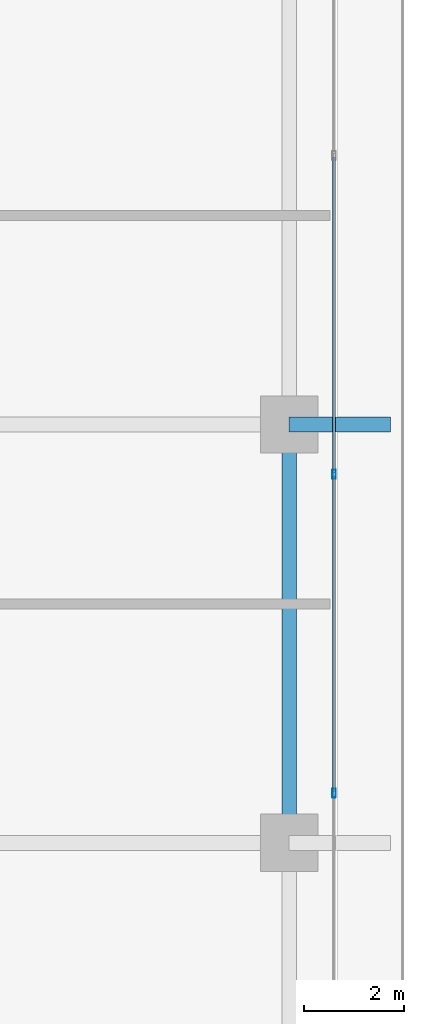
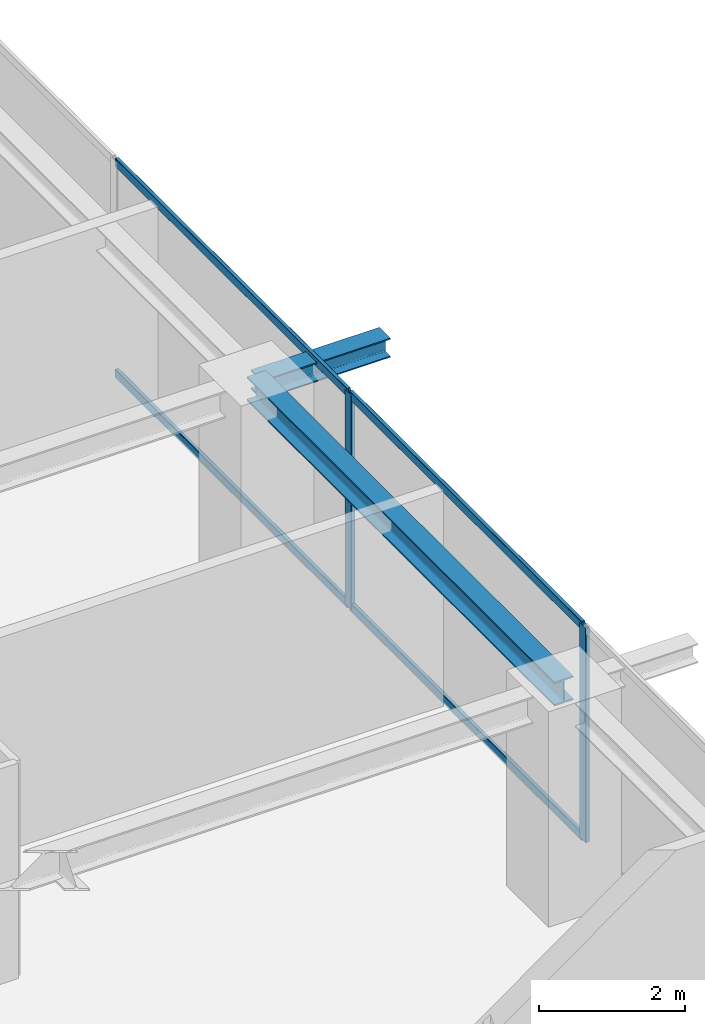
# One storey, part 16 of 38: 6 members, 2 beams, 1 element without a shape of its own.
"""IFC4 building model written with IfcOpenShell, lengths in metres."""

from ifc_helpers import new_model, si_unit, direction, frame, origin, origin_2d, place, context, subcontext, project, spatial, hollow_rectangle, i_section, extrude, source, transform, mapped, material, layer, layer_set, material_profile, profile_set, type_object, element, aggregate, save


model = new_model("IFC4")

# Units and contexts
model_context = context("Model", 3, precision=1e-05, world=origin(), true_north=direction((0.0, 1.0)))
body_context = subcontext(model_context, "Body", "Model", "MODEL_VIEW")
ifc_project = project(units=[si_unit("LENGTHUNIT", "METRE"), si_unit("AREAUNIT", "SQUARE_METRE"), si_unit("VOLUMEUNIT", "CUBIC_METRE"), si_unit("PLANEANGLEUNIT", "RADIAN"), si_unit("MASSUNIT", "GRAM", prefix="KILO")], contexts=[model_context])

# Site, building, storey
site_placement = place(None, origin())
site = spatial("IfcSite", under=ifc_project, at=site_placement, CompositionType="ELEMENT")
building_placement = place(site_placement, origin())
building = spatial("IfcBuilding", under=site, at=building_placement, Name="Serunith Strait Residences", CompositionType="ELEMENT")
storey_placement = place(building_placement, frame((0.0, 0.0, 268.199951171875)))
storey = spatial("IfcBuildingStorey", under=building, at=storey_placement, Name="L67", CompositionType="ELEMENT", Elevation=268.199951171875)

# Beams
ifc_material_1 = material(Name="Steel S355J2", Category="steel")
ifc_material_profile_1 = material_profile(ifc_material_1, i_section(OverallWidth=0.300048828125, OverallDepth=0.39990234375, WebThickness=0.013427734375, FlangeThickness=0.02392578125, FilletRadius=0.027099609375, at=origin_2d()), Name="HEB 400")
ifc_profile_set_1 = profile_set([ifc_material_profile_1], Name="Steel S355J2")
beam_type_1 = type_object("IfcBeamType", Name="BM-HEB400", PredefinedType="BEAM", material=ifc_profile_set_1)
shared_shape_1 = source(origin(), body_context, "Body", "SweptSolid", [
    extrude(i_section(OverallWidth=0.300048828125, OverallDepth=0.39990234375, WebThickness=0.013427734375, FlangeThickness=0.02392578125, FilletRadius=0.027099609375, at=origin_2d()), origin(), (0.0, 0.0, 1.0), 8.39990234375),
])
beam_1_placement = place(storey_placement, frame((56.5, 21.0, 3.386962890625), z_axis=(0.0, 1.0, 0.0), x_axis=(-1.0, 0.0, 0.0)))
element("IfcBeam", 1, at=beam_1_placement, inside=storey, type_object=beam_type_1, Name="L67 Perimeter Ring Beam 06", PredefinedType="BEAM", context=body_context, shape_type="MappedRepresentation", body=[
    mapped(shared_shape_1, transform((0.0, 0.0, 0.0), scale=1.0)),
])
ifc_material_profile_2 = material_profile(ifc_material_1, i_section(OverallWidth=0.300048828125, OverallDepth=0.320068359375, WebThickness=0.011474609375, FlangeThickness=0.0205078125, FilletRadius=0.027099609375, at=origin_2d()), Name="HEB 320")
ifc_profile_set_2 = profile_set([ifc_material_profile_2], Name="Steel S355J2")
beam_type_2 = type_object("IfcBeamType", Name="BM-HEB320", PredefinedType="BEAM", material=ifc_profile_set_2)
shared_shape_2 = source(origin(), body_context, "Body", "SweptSolid", [
    extrude(i_section(OverallWidth=0.300048828125, OverallDepth=0.320068359375, WebThickness=0.011474609375, FlangeThickness=0.0205078125, FilletRadius=0.027099609375, at=origin_2d()), origin(), (0.0, 0.0, 1.0), 2.030029296875),
])
beam_2_placement = place(storey_placement, frame((56.5, 29.39990234375, 3.39697265625), z_axis=(1.0, 0.0, 0.0), x_axis=(0.0, 1.0, 0.0)))
element("IfcBeam", 2, at=beam_2_placement, inside=storey, type_object=beam_type_2, Name="L68 Cantilevered Balcony Rib TC-E3", PredefinedType="BEAM", context=body_context, shape_type="MappedRepresentation", body=[
    mapped(shared_shape_2, transform((0.0, 0.0, 0.0), scale=1.0)),
])

# Curtain wall, members
ifc_material_2 = material(Name="Pale-Champagne Anodised Aluminium", Category="aluminium")
ifc_layer = layer(ifc_material_2, 0.199951171875, Name="Pale-Champagne Anodised Aluminium")
ifc_layer_set = layer_set([ifc_layer], Name="Pale-Champagne Anodised Aluminium")
curtain_wall_type = type_object("IfcCurtainWallType", Name="CW-SYS4", PredefinedType="NOTDEFINED", material=ifc_layer_set)
curtain_wall_placement = place(storey_placement, origin())
curtain_wall = element("IfcCurtainWall", 3, at=curtain_wall_placement, inside=storey, type_object=curtain_wall_type, Name="L67 E Unitised Fritted Curtain Wall", PredefinedType="NOTDEFINED")
ifc_material_profile_3 = material_profile(ifc_material_2, hollow_rectangle(XDim=0.06494140625, YDim=0.179931640625, WallThickness=0.00341796875, InnerFilletRadius=0.00537109375, OuterFilletRadius=0.0087890625, at=origin_2d()), Name="ALU 180x65x3.5")
ifc_profile_set_3 = profile_set([ifc_material_profile_3], Name="Pale-Champagne Anodised Aluminium")
member_type_1 = type_object("IfcMemberType", Name="CW-SYS4-MULL", PredefinedType="MULLION", material=ifc_profile_set_3)
shared_shape_3 = source(origin(), body_context, "Body", "SweptSolid", [
    extrude(hollow_rectangle(XDim=0.06494140625, YDim=0.179931640625, WallThickness=0.00341796875, InnerFilletRadius=0.00537109375, OuterFilletRadius=0.0087890625, at=origin_2d()), origin(), (0.0, 0.0, 1.0), 3.574951171875),
])
member_1_placement = place(storey_placement, frame((57.39990234375, 22.0, 0.0), z_axis=(0.0, 0.0, 1.0), x_axis=(-1.0, 0.0, 0.0)))
member_1 = element("IfcMember", 4, at=member_1_placement, type_object=member_type_1, Name="CW-4 mullion 3", PredefinedType="MULLION", context=body_context, shape_type="MappedRepresentation", body=[
    mapped(shared_shape_3, transform((0.0, 0.0, 0.0), scale=1.0)),
])
member_2_placement = place(storey_placement, frame((57.39990234375, 28.39990234375, 0.0), z_axis=(0.0, 0.0, 1.0), x_axis=(-1.0, 0.0, 0.0)))
member_2 = element("IfcMember", 5, at=member_2_placement, type_object=member_type_1, Name="CW-4 mullion 4", PredefinedType="MULLION", context=body_context, shape_type="MappedRepresentation", body=[
    mapped(shared_shape_3, transform((0.0, 0.0, 0.0), scale=1.0)),
])
ifc_material_profile_4 = material_profile(ifc_material_2, hollow_rectangle(XDim=0.06005859375, YDim=0.139892578125, WallThickness=0.00341796875, InnerFilletRadius=0.00537109375, OuterFilletRadius=0.0087890625, at=origin_2d()), Name="ALU 140x60x3.5")
ifc_profile_set_4 = profile_set([ifc_material_profile_4], Name="Pale-Champagne Anodised Aluminium")
member_type_2 = type_object("IfcMemberType", Name="CW-SYS4-TRAN", PredefinedType="USERDEFINED", material=ifc_profile_set_4)
shared_shape_4 = source(origin(), body_context, "Body", "SweptSolid", [
    extrude(hollow_rectangle(XDim=0.06005859375, YDim=0.139892578125, WallThickness=0.00341796875, InnerFilletRadius=0.00537109375, OuterFilletRadius=0.0087890625, at=origin_2d()), origin(), (0.0, 0.0, 1.0), 6.3349609375),
])
member_3_placement = place(storey_placement, frame((57.39990234375, 22.032470703125, 0.030029296875), z_axis=(0.0, 1.0, 0.0), x_axis=(-1.0, 0.0, 0.0)))
member_3 = element("IfcMember", 6, at=member_3_placement, type_object=member_type_2, Name="CW-4 transom 3.1", ObjectType="TRANSOM", PredefinedType="USERDEFINED", context=body_context, shape_type="MappedRepresentation", body=[
    mapped(shared_shape_4, transform((0.0, 0.0, 0.0), scale=1.0)),
])
member_4_placement = place(storey_placement, frame((57.39990234375, 22.032470703125, 3.545166015625), z_axis=(0.0, 1.0, 0.0), x_axis=(-1.0, 0.0, 0.0)))
member_4 = element("IfcMember", 7, at=member_4_placement, type_object=member_type_2, Name="CW-4 transom 3.2", ObjectType="TRANSOM", PredefinedType="USERDEFINED", context=body_context, shape_type="MappedRepresentation", body=[
    mapped(shared_shape_4, transform((0.0, 0.0, 0.0), scale=1.0)),
])
member_5_placement = place(storey_placement, frame((57.39990234375, 28.4326171875, 0.030029296875), z_axis=(0.0, 1.0, 0.0), x_axis=(-1.0, 0.0, 0.0)))
member_5 = element("IfcMember", 8, at=member_5_placement, type_object=member_type_2, Name="CW-4 transom 4.1", ObjectType="TRANSOM", PredefinedType="USERDEFINED", context=body_context, shape_type="MappedRepresentation", body=[
    mapped(shared_shape_4, transform((0.0, 0.0, 0.0), scale=1.0)),
])
member_6_placement = place(storey_placement, frame((57.39990234375, 28.4326171875, 3.545166015625), z_axis=(0.0, 1.0, 0.0), x_axis=(-1.0, 0.0, 0.0)))
member_6 = element("IfcMember", 9, at=member_6_placement, type_object=member_type_2, Name="CW-4 transom 4.2", ObjectType="TRANSOM", PredefinedType="USERDEFINED", context=body_context, shape_type="MappedRepresentation", body=[
    mapped(shared_shape_4, transform((0.0, 0.0, 0.0), scale=1.0)),
])
aggregate(curtain_wall, [member_1, member_2, member_3, member_4, member_5, member_6])

save(model, "model.ifc")
